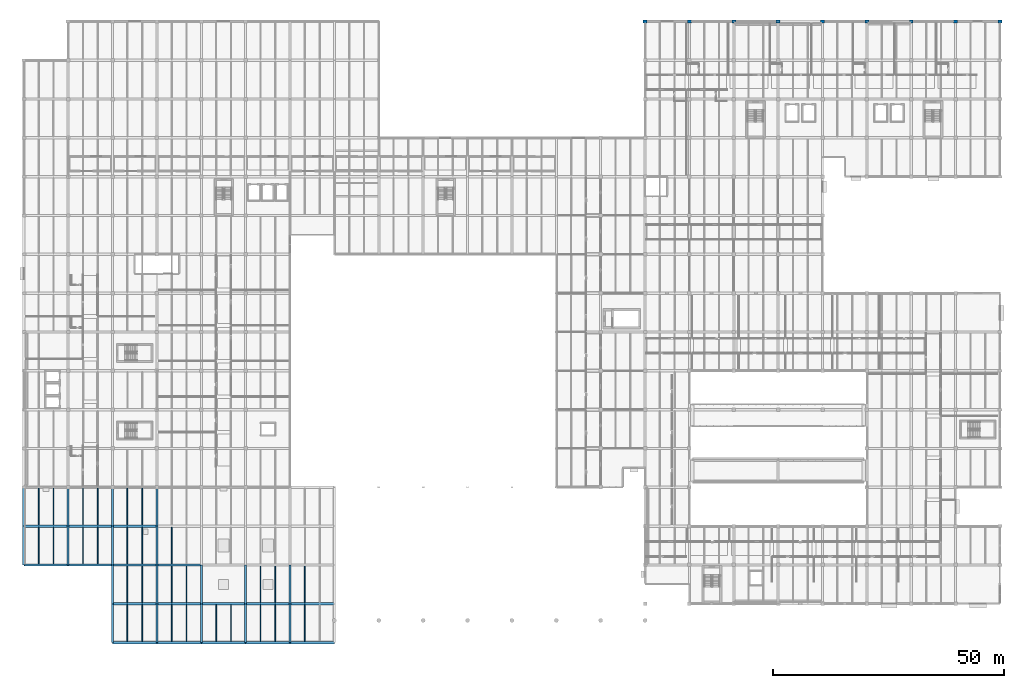
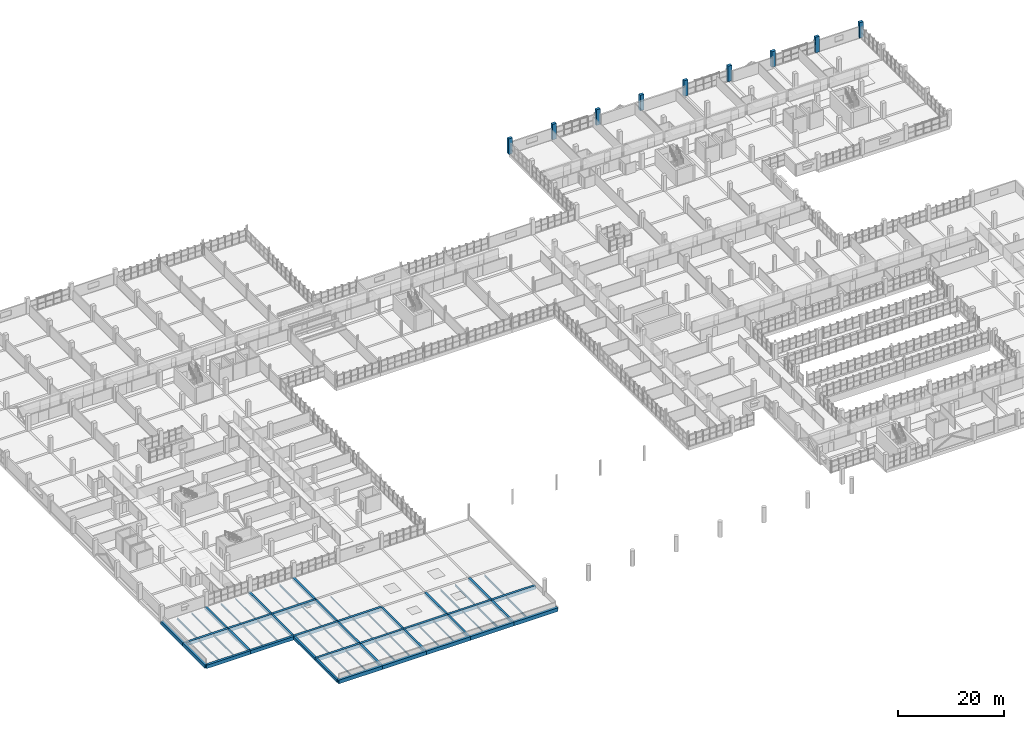
# One storey, part 20 of 147: 64 beams, 9 columns.
"""IFC4 building model written with IfcOpenShell, lengths in metres."""

from ifc_helpers import new_model, si_unit, direction, frame, origin, origin_2d, place, context, subcontext, project, spatial, rectangle, i_section, extrude, material, material_profile, profile_set, type_object, element, save


model = new_model("IFC4")

# Units and contexts
model_context = context("Model", 3, precision=1e-05, world=origin(), true_north=direction((0.0, 1.0)))
body_context = subcontext(model_context, "Body", "Model", "MODEL_VIEW")
ifc_project = project(units=[si_unit("LENGTHUNIT", "METRE"), si_unit("AREAUNIT", "SQUARE_METRE"), si_unit("VOLUMEUNIT", "CUBIC_METRE"), si_unit("PLANEANGLEUNIT", "RADIAN"), si_unit("MASSUNIT", "GRAM", prefix="KILO")], contexts=[model_context])

# Site, building, storey
site_placement = place(None, origin())
site = spatial("IfcSite", under=ifc_project, at=site_placement, CompositionType="ELEMENT")
building_placement = place(site_placement, origin())
building = spatial("IfcBuilding", under=site, at=building_placement, Name="Oolite Switchyard Hospital", CompositionType="ELEMENT")
storey_placement = place(building_placement, frame((0.0, 0.0, 9.89990234375)))
storey = spatial("IfcBuildingStorey", under=building, at=storey_placement, Name="L02", CompositionType="ELEMENT", Elevation=9.89990234375)

# Columns
ifc_material_1 = material(Name="Concrete C50/60", Category="concrete")
ifc_material_profile_1 = material_profile(ifc_material_1, rectangle(XDim=0.85009765625, YDim=0.60009765625, at=origin_2d()), Name="RC850X600")
ifc_profile_set_1 = profile_set([ifc_material_profile_1], Name="Concrete C50/60")
column_type = type_object("IfcColumnType", Name="COL-RCR850", PredefinedType="COLUMN", material=ifc_profile_set_1)
for number, where, z_axis, x_axis, name in (
    (1, (134.39990234375, 134.39990234375, 0.0), (0.0, 0.0, 1.0), (1.0, 0.0, 0.0), "L02 Column 809"),
    (2, (144.0, 134.39990234375, 0.0), (0.0, 0.0, 1.0), (1.0, 0.0, 0.0), "L02 Column 825"),
    (3, (153.60009765625, 134.39990234375, 0.0), (0.0, 0.0, 1.0), (1.0, 0.0, 0.0), "L02 Column 843"),
    (4, (163.199951171875, 134.39990234375, 0.0), (0.0, 0.0, 1.0), (1.0, 0.0, 0.0), "L02 Column 859"),
    (5, (172.800048828125, 134.39990234375, 0.0), (0.0, 0.0, 1.0), (1.0, 0.0, 0.0), "L02 Column 873"),
    (6, (182.39990234375, 134.39990234375, 0.0), (0.0, 0.0, 1.0), (1.0, 0.0, 0.0), "L02 Column 891"),
    (7, (192.0, 134.39990234375, 0.0), (0.0, 0.0, 1.0), (1.0, 0.0, 0.0), "L02 Column 905"),
    (8, (201.60009765625, 134.39990234375, 0.0), (0.0, 0.0, 1.0), (1.0, 0.0, 0.0), "L02 Column 919"),
    (9, (211.199951171875, 134.39990234375, 0.0), (0.0, 0.0, 1.0), (1.0, 0.0, 0.0), "L02 Column 931"),
):
    element("IfcColumn", number, at=place(storey_placement, frame(where, z_axis=z_axis, x_axis=x_axis)), inside=storey, type_object=column_type, Name=name, PredefinedType="COLUMN", context=body_context, shape_type="SweptSolid", body=[
        extrude(rectangle(XDim=0.85009765625, YDim=0.60009765625, at=origin_2d()), origin(), (0.0, 0.0, 1.0), 3.60009765625),
    ])

# Beams
ifc_material_2 = material(Name="Concrete C40/50", Category="concrete")
ifc_material_profile_2 = material_profile(ifc_material_2, rectangle(XDim=0.449951171875, YDim=0.64990234375, at=origin_2d()), Name="RCB450X650")
ifc_profile_set_2 = profile_set([ifc_material_profile_2], Name="Concrete C40/50")
beam_type_1 = type_object("IfcBeamType", Name="BM-RC450X650", PredefinedType="BEAM", material=ifc_profile_set_2)
beam_1_placement = place(storey_placement, frame((9.60009765625, 16.800048828125, -0.324951171875), z_axis=(0.0, 1.0, 0.0), x_axis=(-1.0, 0.0, 0.0)))
element("IfcBeam", 10, at=beam_1_placement, inside=storey, type_object=beam_type_1, Name="L02 Y-Girder 1263", PredefinedType="BEAM", context=body_context, shape_type="SweptSolid", body=[
    extrude(rectangle(XDim=0.449951171875, YDim=0.64990234375, at=origin_2d()), origin(), (0.0, 0.0, 1.0), 8.39990234375),
])
beam_2_placement = place(storey_placement, frame((9.60009765625, 25.199951171875, -0.324951171875), z_axis=(0.0, 1.0, 0.0), x_axis=(-1.0, 0.0, 0.0)))
element("IfcBeam", 11, at=beam_2_placement, inside=storey, type_object=beam_type_1, Name="L02 Y-Girder 1264", PredefinedType="BEAM", context=body_context, shape_type="SweptSolid", body=[
    extrude(rectangle(XDim=0.449951171875, YDim=0.64990234375, at=origin_2d()), origin(), (0.0, 0.0, 1.0), 8.400146484375),
])
beam_3_placement = place(storey_placement, frame((19.199951171875, 0.0, -0.324951171875), z_axis=(0.0, 1.0, 0.0), x_axis=(-1.0, 0.0, 0.0)))
element("IfcBeam", 12, at=beam_3_placement, inside=storey, type_object=beam_type_1, Name="L02 Y-Girder 1277", PredefinedType="BEAM", context=body_context, shape_type="SweptSolid", body=[
    extrude(rectangle(XDim=0.449951171875, YDim=0.64990234375, at=origin_2d()), origin(), (0.0, 0.0, 1.0), 8.39990234375),
])
beam_4_placement = place(storey_placement, frame((19.199951171875, 8.39990234375, -0.324951171875), z_axis=(0.0, 1.0, 0.0), x_axis=(-1.0, 0.0, 0.0)))
element("IfcBeam", 13, at=beam_4_placement, inside=storey, type_object=beam_type_1, Name="L02 Y-Girder 1278", PredefinedType="BEAM", context=body_context, shape_type="SweptSolid", body=[
    extrude(rectangle(XDim=0.449951171875, YDim=0.64990234375, at=origin_2d()), origin(), (0.0, 0.0, 1.0), 8.400146484375),
])
beam_5_placement = place(storey_placement, frame((19.199951171875, 16.800048828125, -0.324951171875), z_axis=(0.0, 1.0, 0.0), x_axis=(-1.0, 0.0, 0.0)))
element("IfcBeam", 14, at=beam_5_placement, inside=storey, type_object=beam_type_1, Name="L02 Y-Girder 1279", PredefinedType="BEAM", context=body_context, shape_type="SweptSolid", body=[
    extrude(rectangle(XDim=0.449951171875, YDim=0.64990234375, at=origin_2d()), origin(), (0.0, 0.0, 1.0), 8.39990234375),
])
beam_6_placement = place(storey_placement, frame((19.199951171875, 25.199951171875, -0.324951171875), z_axis=(0.0, 1.0, 0.0), x_axis=(-1.0, 0.0, 0.0)))
element("IfcBeam", 15, at=beam_6_placement, inside=storey, type_object=beam_type_1, Name="L02 Y-Girder 1280", PredefinedType="BEAM", context=body_context, shape_type="SweptSolid", body=[
    extrude(rectangle(XDim=0.449951171875, YDim=0.64990234375, at=origin_2d()), origin(), (0.0, 0.0, 1.0), 8.400146484375),
])
beam_7_placement = place(storey_placement, frame((28.800048828125, 0.0, -0.324951171875), z_axis=(0.0, 1.0, 0.0), x_axis=(-1.0, 0.0, 0.0)))
element("IfcBeam", 16, at=beam_7_placement, inside=storey, type_object=beam_type_1, Name="L02 Y-Girder 1293", PredefinedType="BEAM", context=body_context, shape_type="SweptSolid", body=[
    extrude(rectangle(XDim=0.449951171875, YDim=0.64990234375, at=origin_2d()), origin(), (0.0, 0.0, 1.0), 8.39990234375),
])
beam_8_placement = place(storey_placement, frame((28.800048828125, 8.39990234375, -0.324951171875), z_axis=(0.0, 1.0, 0.0), x_axis=(-1.0, 0.0, 0.0)))
element("IfcBeam", 17, at=beam_8_placement, inside=storey, type_object=beam_type_1, Name="L02 Y-Girder 1294", PredefinedType="BEAM", context=body_context, shape_type="SweptSolid", body=[
    extrude(rectangle(XDim=0.449951171875, YDim=0.64990234375, at=origin_2d()), origin(), (0.0, 0.0, 1.0), 8.400146484375),
])
beam_9_placement = place(storey_placement, frame((28.800048828125, 16.800048828125, -0.324951171875), z_axis=(0.0, 1.0, 0.0), x_axis=(-1.0, 0.0, 0.0)))
element("IfcBeam", 18, at=beam_9_placement, inside=storey, type_object=beam_type_1, Name="L02 Y-Girder 1295", PredefinedType="BEAM", context=body_context, shape_type="SweptSolid", body=[
    extrude(rectangle(XDim=0.449951171875, YDim=0.64990234375, at=origin_2d()), origin(), (0.0, 0.0, 1.0), 8.39990234375),
])
beam_10_placement = place(storey_placement, frame((28.800048828125, 25.199951171875, -0.324951171875), z_axis=(0.0, 1.0, 0.0), x_axis=(-1.0, 0.0, 0.0)))
element("IfcBeam", 19, at=beam_10_placement, inside=storey, type_object=beam_type_1, Name="L02 Y-Girder 1296", PredefinedType="BEAM", context=body_context, shape_type="SweptSolid", body=[
    extrude(rectangle(XDim=0.449951171875, YDim=0.64990234375, at=origin_2d()), origin(), (0.0, 0.0, 1.0), 8.400146484375),
])
beam_11_placement = place(storey_placement, frame((38.39990234375, 0.0, -0.324951171875), z_axis=(0.0, 1.0, 0.0), x_axis=(-1.0, 0.0, 0.0)))
element("IfcBeam", 20, at=beam_11_placement, inside=storey, type_object=beam_type_1, Name="L02 Y-Girder 1308", PredefinedType="BEAM", context=body_context, shape_type="SweptSolid", body=[
    extrude(rectangle(XDim=0.449951171875, YDim=0.64990234375, at=origin_2d()), origin(), (0.0, 0.0, 1.0), 8.39990234375),
])
beam_12_placement = place(storey_placement, frame((38.39990234375, 8.39990234375, -0.324951171875), z_axis=(0.0, 1.0, 0.0), x_axis=(-1.0, 0.0, 0.0)))
element("IfcBeam", 21, at=beam_12_placement, inside=storey, type_object=beam_type_1, Name="L02 Y-Girder 1309", PredefinedType="BEAM", context=body_context, shape_type="SweptSolid", body=[
    extrude(rectangle(XDim=0.449951171875, YDim=0.64990234375, at=origin_2d()), origin(), (0.0, 0.0, 1.0), 8.400146484375),
])
beam_13_placement = place(storey_placement, frame((48.0, 0.0, -0.324951171875), z_axis=(0.0, 1.0, 0.0), x_axis=(-1.0, 0.0, 0.0)))
element("IfcBeam", 22, at=beam_13_placement, inside=storey, type_object=beam_type_1, Name="L02 Y-Girder 1324", PredefinedType="BEAM", context=body_context, shape_type="SweptSolid", body=[
    extrude(rectangle(XDim=0.449951171875, YDim=0.64990234375, at=origin_2d()), origin(), (0.0, 0.0, 1.0), 8.39990234375),
])
beam_14_placement = place(storey_placement, frame((48.0, 8.39990234375, -0.324951171875), z_axis=(0.0, 1.0, 0.0), x_axis=(-1.0, 0.0, 0.0)))
element("IfcBeam", 23, at=beam_14_placement, inside=storey, type_object=beam_type_1, Name="L02 Y-Girder 1325", PredefinedType="BEAM", context=body_context, shape_type="SweptSolid", body=[
    extrude(rectangle(XDim=0.449951171875, YDim=0.64990234375, at=origin_2d()), origin(), (0.0, 0.0, 1.0), 8.400146484375),
])
beam_15_placement = place(storey_placement, frame((57.60009765625, 0.0, -0.324951171875), z_axis=(0.0, 1.0, 0.0), x_axis=(-1.0, 0.0, 0.0)))
element("IfcBeam", 24, at=beam_15_placement, inside=storey, type_object=beam_type_1, Name="L02 Y-Girder 1340", PredefinedType="BEAM", context=body_context, shape_type="SweptSolid", body=[
    extrude(rectangle(XDim=0.449951171875, YDim=0.64990234375, at=origin_2d()), origin(), (0.0, 0.0, 1.0), 8.39990234375),
])
beam_16_placement = place(storey_placement, frame((57.60009765625, 8.39990234375, -0.324951171875), z_axis=(0.0, 1.0, 0.0), x_axis=(-1.0, 0.0, 0.0)))
element("IfcBeam", 25, at=beam_16_placement, inside=storey, type_object=beam_type_1, Name="L02 Y-Girder 1341", PredefinedType="BEAM", context=body_context, shape_type="SweptSolid", body=[
    extrude(rectangle(XDim=0.449951171875, YDim=0.64990234375, at=origin_2d()), origin(), (0.0, 0.0, 1.0), 8.400146484375),
])
ifc_material_profile_3 = material_profile(ifc_material_2, rectangle(XDim=0.5, YDim=0.800048828125, at=origin_2d()), Name="RCB500X800")
ifc_profile_set_3 = profile_set([ifc_material_profile_3], Name="Concrete C40/50")
beam_type_2 = type_object("IfcBeamType", Name="BM-RC500X800", PredefinedType="BEAM", material=ifc_profile_set_3)
beam_17_placement = place(storey_placement, frame((19.199951171875, 8.39990234375, -0.39990234375), z_axis=(1.0, 0.0, 0.0), x_axis=(0.0, 1.0, 0.0)))
element("IfcBeam", 26, at=beam_17_placement, inside=storey, type_object=beam_type_2, Name="L02 X-Girder 993", PredefinedType="BEAM", context=body_context, shape_type="SweptSolid", body=[
    extrude(rectangle(XDim=0.5, YDim=0.800048828125, at=origin_2d()), origin(), (0.0, 0.0, 1.0), 9.60009765625),
])
beam_18_placement = place(storey_placement, frame((28.800048828125, 8.39990234375, -0.39990234375), z_axis=(1.0, 0.0, 0.0), x_axis=(0.0, 1.0, 0.0)))
element("IfcBeam", 27, at=beam_18_placement, inside=storey, type_object=beam_type_2, Name="L02 X-Girder 994", PredefinedType="BEAM", context=body_context, shape_type="SweptSolid", body=[
    extrude(rectangle(XDim=0.5, YDim=0.800048828125, at=origin_2d()), origin(), (0.0, 0.0, 1.0), 9.599853515625),
])
for number, where, z_axis, x_axis, name in (
    (28, (38.39990234375, 8.39990234375, -0.39990234375), (1.0, 0.0, 0.0), (0.0, 1.0, 0.0), "L02 X-Girder 995"),
    (29, (48.0, 8.39990234375, -0.39990234375), (1.0, 0.0, 0.0), (0.0, 1.0, 0.0), "L02 X-Girder 996"),
):
    element("IfcBeam", number, at=place(storey_placement, frame(where, z_axis=z_axis, x_axis=x_axis)), inside=storey, type_object=beam_type_2, Name=name, PredefinedType="BEAM", context=body_context, shape_type="SweptSolid", body=[
        extrude(rectangle(XDim=0.5, YDim=0.800048828125, at=origin_2d()), origin(), (0.0, 0.0, 1.0), 9.60009765625),
    ])
beam_19_placement = place(storey_placement, frame((57.60009765625, 8.39990234375, -0.39990234375), z_axis=(1.0, 0.0, 0.0), x_axis=(0.0, 1.0, 0.0)))
element("IfcBeam", 30, at=beam_19_placement, inside=storey, type_object=beam_type_2, Name="L02 X-Girder 997", PredefinedType="BEAM", context=body_context, shape_type="SweptSolid", body=[
    extrude(rectangle(XDim=0.5, YDim=0.800048828125, at=origin_2d()), origin(), (0.0, 0.0, 1.0), 9.599853515625),
])
beam_20_placement = place(storey_placement, frame((0.0, 16.800048828125, -0.39990234375), z_axis=(1.0, 0.0, 0.0), x_axis=(0.0, 1.0, 0.0)))
element("IfcBeam", 31, at=beam_20_placement, inside=storey, type_object=beam_type_2, Name="L02 X-Girder 1004", PredefinedType="BEAM", context=body_context, shape_type="SweptSolid", body=[
    extrude(rectangle(XDim=0.5, YDim=0.800048828125, at=origin_2d()), origin(), (0.0, 0.0, 1.0), 9.60009765625),
])
beam_21_placement = place(storey_placement, frame((9.60009765625, 16.800048828125, -0.39990234375), z_axis=(1.0, 0.0, 0.0), x_axis=(0.0, 1.0, 0.0)))
element("IfcBeam", 32, at=beam_21_placement, inside=storey, type_object=beam_type_2, Name="L02 X-Girder 1005", PredefinedType="BEAM", context=body_context, shape_type="SweptSolid", body=[
    extrude(rectangle(XDim=0.5, YDim=0.800048828125, at=origin_2d()), origin(), (0.0, 0.0, 1.0), 9.599853515625),
])
beam_22_placement = place(storey_placement, frame((19.199951171875, 16.800048828125, -0.39990234375), z_axis=(1.0, 0.0, 0.0), x_axis=(0.0, 1.0, 0.0)))
element("IfcBeam", 33, at=beam_22_placement, inside=storey, type_object=beam_type_2, Name="L02 X-Girder 1006", PredefinedType="BEAM", context=body_context, shape_type="SweptSolid", body=[
    extrude(rectangle(XDim=0.5, YDim=0.800048828125, at=origin_2d()), origin(), (0.0, 0.0, 1.0), 9.60009765625),
])
beam_23_placement = place(storey_placement, frame((28.800048828125, 16.800048828125, -0.39990234375), z_axis=(1.0, 0.0, 0.0), x_axis=(0.0, 1.0, 0.0)))
element("IfcBeam", 34, at=beam_23_placement, inside=storey, type_object=beam_type_2, Name="L02 X-Girder 1007", PredefinedType="BEAM", context=body_context, shape_type="SweptSolid", body=[
    extrude(rectangle(XDim=0.5, YDim=0.800048828125, at=origin_2d()), origin(), (0.0, 0.0, 1.0), 9.599853515625),
])
beam_24_placement = place(storey_placement, frame((0.0, 25.199951171875, -0.39990234375), z_axis=(1.0, 0.0, 0.0), x_axis=(0.0, 1.0, 0.0)))
element("IfcBeam", 35, at=beam_24_placement, inside=storey, type_object=beam_type_2, Name="L02 X-Girder 1019", PredefinedType="BEAM", context=body_context, shape_type="SweptSolid", body=[
    extrude(rectangle(XDim=0.5, YDim=0.800048828125, at=origin_2d()), origin(), (0.0, 0.0, 1.0), 9.60009765625),
])
beam_25_placement = place(storey_placement, frame((9.60009765625, 25.199951171875, -0.39990234375), z_axis=(1.0, 0.0, 0.0), x_axis=(0.0, 1.0, 0.0)))
element("IfcBeam", 36, at=beam_25_placement, inside=storey, type_object=beam_type_2, Name="L02 X-Girder 1020", PredefinedType="BEAM", context=body_context, shape_type="SweptSolid", body=[
    extrude(rectangle(XDim=0.5, YDim=0.800048828125, at=origin_2d()), origin(), (0.0, 0.0, 1.0), 9.599853515625),
])
beam_26_placement = place(storey_placement, frame((19.199951171875, 25.199951171875, -0.39990234375), z_axis=(1.0, 0.0, 0.0), x_axis=(0.0, 1.0, 0.0)))
element("IfcBeam", 37, at=beam_26_placement, inside=storey, type_object=beam_type_2, Name="L02 X-Girder 1021", PredefinedType="BEAM", context=body_context, shape_type="SweptSolid", body=[
    extrude(rectangle(XDim=0.5, YDim=0.800048828125, at=origin_2d()), origin(), (0.0, 0.0, 1.0), 9.60009765625),
])
beam_27_placement = place(storey_placement, frame((0.0, 16.800048828125, -0.39990234375), z_axis=(0.0, 1.0, 0.0), x_axis=(-1.0, 0.0, 0.0)))
element("IfcBeam", 38, at=beam_27_placement, inside=storey, type_object=beam_type_2, Name="L02 Y-Girder 1250", PredefinedType="BEAM", context=body_context, shape_type="SweptSolid", body=[
    extrude(rectangle(XDim=0.5, YDim=0.800048828125, at=origin_2d()), origin(), (0.0, 0.0, 1.0), 8.39990234375),
])
beam_28_placement = place(storey_placement, frame((0.0, 25.199951171875, -0.39990234375), z_axis=(0.0, 1.0, 0.0), x_axis=(-1.0, 0.0, 0.0)))
element("IfcBeam", 39, at=beam_28_placement, inside=storey, type_object=beam_type_2, Name="L02 Y-Girder 1251", PredefinedType="BEAM", context=body_context, shape_type="SweptSolid", body=[
    extrude(rectangle(XDim=0.5, YDim=0.800048828125, at=origin_2d()), origin(), (0.0, 0.0, 1.0), 8.400146484375),
])
ifc_material_profile_4 = material_profile(ifc_material_2, rectangle(XDim=0.550048828125, YDim=0.85009765625, at=origin_2d()), Name="RCB550X850")
ifc_profile_set_4 = profile_set([ifc_material_profile_4], Name="Concrete C40/50")
beam_type_3 = type_object("IfcBeamType", Name="BM-RC550X850", PredefinedType="BEAM", material=ifc_profile_set_4)
beam_29_placement = place(storey_placement, frame((19.199951171875, 0.0, -0.4248046875), z_axis=(1.0, 0.0, 0.0), x_axis=(0.0, 1.0, 0.0)))
element("IfcBeam", 40, at=beam_29_placement, inside=storey, type_object=beam_type_3, Name="L02 X-Girder 988", PredefinedType="BEAM", context=body_context, shape_type="SweptSolid", body=[
    extrude(rectangle(XDim=0.550048828125, YDim=0.85009765625, at=origin_2d()), origin(), (0.0, 0.0, 1.0), 9.60009765625),
])
beam_30_placement = place(storey_placement, frame((28.800048828125, 0.0, -0.4248046875), z_axis=(1.0, 0.0, 0.0), x_axis=(0.0, 1.0, 0.0)))
element("IfcBeam", 41, at=beam_30_placement, inside=storey, type_object=beam_type_3, Name="L02 X-Girder 989", PredefinedType="BEAM", context=body_context, shape_type="SweptSolid", body=[
    extrude(rectangle(XDim=0.550048828125, YDim=0.85009765625, at=origin_2d()), origin(), (0.0, 0.0, 1.0), 9.599853515625),
])
for number, where, z_axis, x_axis, name in (
    (42, (38.39990234375, 0.0, -0.4248046875), (1.0, 0.0, 0.0), (0.0, 1.0, 0.0), "L02 X-Girder 990"),
    (43, (48.0, 0.0, -0.4248046875), (1.0, 0.0, 0.0), (0.0, 1.0, 0.0), "L02 X-Girder 991"),
):
    element("IfcBeam", number, at=place(storey_placement, frame(where, z_axis=z_axis, x_axis=x_axis)), inside=storey, type_object=beam_type_3, Name=name, PredefinedType="BEAM", context=body_context, shape_type="SweptSolid", body=[
        extrude(rectangle(XDim=0.550048828125, YDim=0.85009765625, at=origin_2d()), origin(), (0.0, 0.0, 1.0), 9.60009765625),
    ])
beam_31_placement = place(storey_placement, frame((57.60009765625, 0.0, -0.4248046875), z_axis=(1.0, 0.0, 0.0), x_axis=(0.0, 1.0, 0.0)))
element("IfcBeam", 44, at=beam_31_placement, inside=storey, type_object=beam_type_3, Name="L02 X-Girder 992", PredefinedType="BEAM", context=body_context, shape_type="SweptSolid", body=[
    extrude(rectangle(XDim=0.550048828125, YDim=0.85009765625, at=origin_2d()), origin(), (0.0, 0.0, 1.0), 9.599853515625),
])
ifc_material_3 = material(Name="Steel ASTM A992 Grade 50", Category="steel")
ifc_material_profile_5 = material_profile(ifc_material_3, i_section(OverallWidth=0.1650390625, OverallDepth=0.31005859375, WebThickness=0.006103515625, FlangeThickness=0.010009765625, at=origin_2d()), Name="W12X26")
ifc_profile_set_5 = profile_set([ifc_material_profile_5], Name="Steel ASTM A992 Grade 50")
beam_type_4 = type_object("IfcBeamType", Name="BM-W12X26", PredefinedType="JOIST", material=ifc_profile_set_5)
beam_32_placement = place(storey_placement, frame((16.0, 25.449951171875, -0.375), z_axis=(0.0, 1.0, 0.0), x_axis=(-1.0, 0.0, 0.0)))
element("IfcBeam", 45, at=beam_32_placement, inside=storey, type_object=beam_type_4, Name="L02 Secondary Steel Joist 1539", PredefinedType="JOIST", context=body_context, shape_type="SweptSolid", body=[
    extrude(i_section(OverallWidth=0.1650390625, OverallDepth=0.31005859375, WebThickness=0.006103515625, FlangeThickness=0.010009765625, at=origin_2d()), origin(), (0.0, 0.0, 1.0), 7.900146484375),
])
beam_33_placement = place(storey_placement, frame((25.60009765625, 17.050048828125, -0.375), z_axis=(0.0, 1.0, 0.0), x_axis=(-1.0, 0.0, 0.0)))
element("IfcBeam", 46, at=beam_33_placement, inside=storey, type_object=beam_type_4, Name="L02 Secondary Steel Joist 1569", PredefinedType="JOIST", context=body_context, shape_type="SweptSolid", body=[
    extrude(i_section(OverallWidth=0.1650390625, OverallDepth=0.31005859375, WebThickness=0.006103515625, FlangeThickness=0.010009765625, at=origin_2d()), origin(), (0.0, 0.0, 1.0), 7.89990234375),
])
for number, where, z_axis, x_axis, name in (
    (47, (22.39990234375, 25.449951171875, -0.375), (0.0, 1.0, 0.0), (-1.0, 0.0, 0.0), "L02 Secondary Steel Joist 1570"),
    (48, (35.199951171875, 8.64990234375, -0.375), (0.0, 1.0, 0.0), (-1.0, 0.0, 0.0), "L02 Secondary Steel Joist 1595"),
):
    element("IfcBeam", number, at=place(storey_placement, frame(where, z_axis=z_axis, x_axis=x_axis)), inside=storey, type_object=beam_type_4, Name=name, PredefinedType="JOIST", context=body_context, shape_type="SweptSolid", body=[
        extrude(i_section(OverallWidth=0.1650390625, OverallDepth=0.31005859375, WebThickness=0.006103515625, FlangeThickness=0.010009765625, at=origin_2d()), origin(), (0.0, 0.0, 1.0), 7.900146484375),
    ])
beam_34_placement = place(storey_placement, frame((32.0, 17.050048828125, -0.375), z_axis=(0.0, 1.0, 0.0), x_axis=(-1.0, 0.0, 0.0)))
element("IfcBeam", 49, at=beam_34_placement, inside=storey, type_object=beam_type_4, Name="L02 Secondary Steel Joist 1596", PredefinedType="JOIST", context=body_context, shape_type="SweptSolid", body=[
    extrude(i_section(OverallWidth=0.1650390625, OverallDepth=0.31005859375, WebThickness=0.006103515625, FlangeThickness=0.010009765625, at=origin_2d()), origin(), (0.0, 0.0, 1.0), 7.89990234375),
])
for number, where, z_axis, x_axis, name in (
    (50, (44.800048828125, 0.27490234375, -0.375), (0.0, 1.0, 0.0), (-1.0, 0.0, 0.0), "L02 Secondary Steel Joist 1625"),
    (51, (51.199951171875, 0.27490234375, -0.375), (0.0, 1.0, 0.0), (-1.0, 0.0, 0.0), "L02 Secondary Steel Joist 1652"),
):
    element("IfcBeam", number, at=place(storey_placement, frame(where, z_axis=z_axis, x_axis=x_axis)), inside=storey, type_object=beam_type_4, Name=name, PredefinedType="JOIST", context=body_context, shape_type="SweptSolid", body=[
        extrude(i_section(OverallWidth=0.1650390625, OverallDepth=0.31005859375, WebThickness=0.006103515625, FlangeThickness=0.010009765625, at=origin_2d()), origin(), (0.0, 0.0, 1.0), 7.875),
    ])
ifc_material_profile_6 = material_profile(ifc_material_3, i_section(OverallWidth=0.1708984375, OverallDepth=0.35107421875, WebThickness=0.007080078125, FlangeThickness=0.010009765625, at=origin_2d()), Name="W14X30")
ifc_profile_set_6 = profile_set([ifc_material_profile_6], Name="Steel ASTM A992 Grade 50")
beam_type_5 = type_object("IfcBeamType", Name="BM-W14X30", PredefinedType="JOIST", material=ifc_profile_set_6)
beam_35_placement = place(storey_placement, frame((6.39990234375, 25.449951171875, -0.39599609375), z_axis=(0.0, 1.0, 0.0), x_axis=(-1.0, 0.0, 0.0)))
element("IfcBeam", 52, at=beam_35_placement, inside=storey, type_object=beam_type_5, Name="L02 Secondary Steel Joist 1515", PredefinedType="JOIST", context=body_context, shape_type="SweptSolid", body=[
    extrude(i_section(OverallWidth=0.1708984375, OverallDepth=0.35107421875, WebThickness=0.007080078125, FlangeThickness=0.010009765625, at=origin_2d()), origin(), (0.0, 0.0, 1.0), 7.900146484375),
])
beam_36_placement = place(storey_placement, frame((16.0, 17.050048828125, -0.39599609375), z_axis=(0.0, 1.0, 0.0), x_axis=(-1.0, 0.0, 0.0)))
element("IfcBeam", 53, at=beam_36_placement, inside=storey, type_object=beam_type_5, Name="L02 Secondary Steel Joist 1537", PredefinedType="JOIST", context=body_context, shape_type="SweptSolid", body=[
    extrude(i_section(OverallWidth=0.1708984375, OverallDepth=0.35107421875, WebThickness=0.007080078125, FlangeThickness=0.010009765625, at=origin_2d()), origin(), (0.0, 0.0, 1.0), 7.89990234375),
])
for number, where, z_axis, x_axis, name in (
    (54, (12.800048828125, 25.449951171875, -0.39599609375), (0.0, 1.0, 0.0), (-1.0, 0.0, 0.0), "L02 Secondary Steel Joist 1538"),
    (55, (25.60009765625, 8.64990234375, -0.39599609375), (0.0, 1.0, 0.0), (-1.0, 0.0, 0.0), "L02 Secondary Steel Joist 1567"),
):
    element("IfcBeam", number, at=place(storey_placement, frame(where, z_axis=z_axis, x_axis=x_axis)), inside=storey, type_object=beam_type_5, Name=name, PredefinedType="JOIST", context=body_context, shape_type="SweptSolid", body=[
        extrude(i_section(OverallWidth=0.1708984375, OverallDepth=0.35107421875, WebThickness=0.007080078125, FlangeThickness=0.010009765625, at=origin_2d()), origin(), (0.0, 0.0, 1.0), 7.900146484375),
    ])
beam_37_placement = place(storey_placement, frame((22.39990234375, 17.050048828125, -0.39599609375), z_axis=(0.0, 1.0, 0.0), x_axis=(-1.0, 0.0, 0.0)))
element("IfcBeam", 56, at=beam_37_placement, inside=storey, type_object=beam_type_5, Name="L02 Secondary Steel Joist 1568", PredefinedType="JOIST", context=body_context, shape_type="SweptSolid", body=[
    extrude(i_section(OverallWidth=0.1708984375, OverallDepth=0.35107421875, WebThickness=0.007080078125, FlangeThickness=0.010009765625, at=origin_2d()), origin(), (0.0, 0.0, 1.0), 7.89990234375),
])
beam_38_placement = place(storey_placement, frame((35.199951171875, 0.27490234375, -0.39599609375), z_axis=(0.0, 1.0, 0.0), x_axis=(-1.0, 0.0, 0.0)))
element("IfcBeam", 57, at=beam_38_placement, inside=storey, type_object=beam_type_5, Name="L02 Secondary Steel Joist 1593", PredefinedType="JOIST", context=body_context, shape_type="SweptSolid", body=[
    extrude(i_section(OverallWidth=0.1708984375, OverallDepth=0.35107421875, WebThickness=0.007080078125, FlangeThickness=0.010009765625, at=origin_2d()), origin(), (0.0, 0.0, 1.0), 7.875),
])
beam_39_placement = place(storey_placement, frame((32.0, 8.64990234375, -0.39599609375), z_axis=(0.0, 1.0, 0.0), x_axis=(-1.0, 0.0, 0.0)))
element("IfcBeam", 58, at=beam_39_placement, inside=storey, type_object=beam_type_5, Name="L02 Secondary Steel Joist 1594", PredefinedType="JOIST", context=body_context, shape_type="SweptSolid", body=[
    extrude(i_section(OverallWidth=0.1708984375, OverallDepth=0.35107421875, WebThickness=0.007080078125, FlangeThickness=0.010009765625, at=origin_2d()), origin(), (0.0, 0.0, 1.0), 7.900146484375),
])
beam_40_placement = place(storey_placement, frame((41.60009765625, 0.27490234375, -0.39599609375), z_axis=(0.0, 1.0, 0.0), x_axis=(-1.0, 0.0, 0.0)))
element("IfcBeam", 59, at=beam_40_placement, inside=storey, type_object=beam_type_5, Name="L02 Secondary Steel Joist 1624", PredefinedType="JOIST", context=body_context, shape_type="SweptSolid", body=[
    extrude(i_section(OverallWidth=0.1708984375, OverallDepth=0.35107421875, WebThickness=0.007080078125, FlangeThickness=0.010009765625, at=origin_2d()), origin(), (0.0, 0.0, 1.0), 7.875),
])
ifc_material_profile_7 = material_profile(ifc_material_3, i_section(OverallWidth=0.177978515625, OverallDepth=0.403076171875, WebThickness=0.008056640625, FlangeThickness=0.010986328125, at=origin_2d()), Name="W16X36")
ifc_profile_set_7 = profile_set([ifc_material_profile_7], Name="Steel ASTM A992 Grade 50")
beam_type_6 = type_object("IfcBeamType", Name="BM-W16X36", PredefinedType="JOIST", material=ifc_profile_set_7)
beam_41_placement = place(storey_placement, frame((6.39990234375, 17.050048828125, -0.421875), z_axis=(0.0, 1.0, 0.0), x_axis=(-1.0, 0.0, 0.0)))
element("IfcBeam", 60, at=beam_41_placement, inside=storey, type_object=beam_type_6, Name="L02 Secondary Steel Joist 1513", PredefinedType="JOIST", context=body_context, shape_type="SweptSolid", body=[
    extrude(i_section(OverallWidth=0.177978515625, OverallDepth=0.403076171875, WebThickness=0.008056640625, FlangeThickness=0.010986328125, at=origin_2d()), origin(), (0.0, 0.0, 1.0), 7.89990234375),
])
beam_42_placement = place(storey_placement, frame((3.199951171875, 25.449951171875, -0.421875), z_axis=(0.0, 1.0, 0.0), x_axis=(-1.0, 0.0, 0.0)))
element("IfcBeam", 61, at=beam_42_placement, inside=storey, type_object=beam_type_6, Name="L02 Secondary Steel Joist 1514", PredefinedType="JOIST", context=body_context, shape_type="SweptSolid", body=[
    extrude(i_section(OverallWidth=0.177978515625, OverallDepth=0.403076171875, WebThickness=0.008056640625, FlangeThickness=0.010986328125, at=origin_2d()), origin(), (0.0, 0.0, 1.0), 7.900146484375),
])
beam_43_placement = place(storey_placement, frame((12.800048828125, 17.050048828125, -0.421875), z_axis=(0.0, 1.0, 0.0), x_axis=(-1.0, 0.0, 0.0)))
element("IfcBeam", 62, at=beam_43_placement, inside=storey, type_object=beam_type_6, Name="L02 Secondary Steel Joist 1536", PredefinedType="JOIST", context=body_context, shape_type="SweptSolid", body=[
    extrude(i_section(OverallWidth=0.177978515625, OverallDepth=0.403076171875, WebThickness=0.008056640625, FlangeThickness=0.010986328125, at=origin_2d()), origin(), (0.0, 0.0, 1.0), 7.89990234375),
])
beam_44_placement = place(storey_placement, frame((25.60009765625, 0.27490234375, -0.421875), z_axis=(0.0, 1.0, 0.0), x_axis=(-1.0, 0.0, 0.0)))
element("IfcBeam", 63, at=beam_44_placement, inside=storey, type_object=beam_type_6, Name="L02 Secondary Steel Joist 1565", PredefinedType="JOIST", context=body_context, shape_type="SweptSolid", body=[
    extrude(i_section(OverallWidth=0.177978515625, OverallDepth=0.403076171875, WebThickness=0.008056640625, FlangeThickness=0.010986328125, at=origin_2d()), origin(), (0.0, 0.0, 1.0), 7.875),
])
beam_45_placement = place(storey_placement, frame((22.39990234375, 8.64990234375, -0.421875), z_axis=(0.0, 1.0, 0.0), x_axis=(-1.0, 0.0, 0.0)))
element("IfcBeam", 64, at=beam_45_placement, inside=storey, type_object=beam_type_6, Name="L02 Secondary Steel Joist 1566", PredefinedType="JOIST", context=body_context, shape_type="SweptSolid", body=[
    extrude(i_section(OverallWidth=0.177978515625, OverallDepth=0.403076171875, WebThickness=0.008056640625, FlangeThickness=0.010986328125, at=origin_2d()), origin(), (0.0, 0.0, 1.0), 7.900146484375),
])
beam_46_placement = place(storey_placement, frame((32.0, 0.27490234375, -0.421875), z_axis=(0.0, 1.0, 0.0), x_axis=(-1.0, 0.0, 0.0)))
element("IfcBeam", 65, at=beam_46_placement, inside=storey, type_object=beam_type_6, Name="L02 Secondary Steel Joist 1592", PredefinedType="JOIST", context=body_context, shape_type="SweptSolid", body=[
    extrude(i_section(OverallWidth=0.177978515625, OverallDepth=0.403076171875, WebThickness=0.008056640625, FlangeThickness=0.010986328125, at=origin_2d()), origin(), (0.0, 0.0, 1.0), 7.875),
])
ifc_material_profile_8 = material_profile(ifc_material_3, i_section(OverallWidth=0.179931640625, OverallDepth=0.4130859375, WebThickness=0.010009765625, FlangeThickness=0.01611328125, at=origin_2d()), Name="W16X50")
ifc_profile_set_8 = profile_set([ifc_material_profile_8], Name="Steel ASTM A992 Grade 50")
beam_type_7 = type_object("IfcBeamType", Name="BM-W16X50", PredefinedType="JOIST", material=ifc_profile_set_8)
beam_47_placement = place(storey_placement, frame((3.199951171875, 17.050048828125, -0.42578125), z_axis=(0.0, 1.0, 0.0), x_axis=(-1.0, 0.0, 0.0)))
element("IfcBeam", 66, at=beam_47_placement, inside=storey, type_object=beam_type_7, Name="L02 Secondary Steel Joist 1512", PredefinedType="JOIST", context=body_context, shape_type="SweptSolid", body=[
    extrude(i_section(OverallWidth=0.179931640625, OverallDepth=0.4130859375, WebThickness=0.010009765625, FlangeThickness=0.01611328125, at=origin_2d()), origin(), (0.0, 0.0, 1.0), 7.89990234375),
])
beam_48_placement = place(storey_placement, frame((22.39990234375, 0.27490234375, -0.42578125), z_axis=(0.0, 1.0, 0.0), x_axis=(-1.0, 0.0, 0.0)))
element("IfcBeam", 67, at=beam_48_placement, inside=storey, type_object=beam_type_7, Name="L02 Secondary Steel Joist 1564", PredefinedType="JOIST", context=body_context, shape_type="SweptSolid", body=[
    extrude(i_section(OverallWidth=0.179931640625, OverallDepth=0.4130859375, WebThickness=0.010009765625, FlangeThickness=0.01611328125, at=origin_2d()), origin(), (0.0, 0.0, 1.0), 7.875),
])
ifc_material_profile_9 = material_profile(ifc_material_3, i_section(OverallWidth=0.19091796875, OverallDepth=0.4599609375, WebThickness=0.010009765625, FlangeThickness=0.01611328125, at=origin_2d()), Name="W18X55")
ifc_profile_set_9 = profile_set([ifc_material_profile_9], Name="Steel ASTM A992 Grade 50")
beam_type_8 = type_object("IfcBeamType", Name="BM-W18X55", PredefinedType="JOIST", material=ifc_profile_set_9)
for number, where, z_axis, x_axis, name in (
    (68, (54.39990234375, 8.64990234375, -0.449951171875), (0.0, 1.0, 0.0), (-1.0, 0.0, 0.0), "L02 Secondary Steel Joist 1655"),
    (69, (60.800048828125, 8.64990234375, -0.449951171875), (0.0, 1.0, 0.0), (-1.0, 0.0, 0.0), "L02 Secondary Steel Joist 1682"),
):
    element("IfcBeam", number, at=place(storey_placement, frame(where, z_axis=z_axis, x_axis=x_axis)), inside=storey, type_object=beam_type_8, Name=name, PredefinedType="JOIST", context=body_context, shape_type="SweptSolid", body=[
        extrude(i_section(OverallWidth=0.19091796875, OverallDepth=0.4599609375, WebThickness=0.010009765625, FlangeThickness=0.01611328125, at=origin_2d()), origin(), (0.0, 0.0, 1.0), 7.900146484375),
    ])
ifc_material_profile_10 = material_profile(ifc_material_3, i_section(OverallWidth=0.166015625, OverallDepth=0.529052734375, WebThickness=0.010009765625, FlangeThickness=0.013916015625, at=origin_2d()), Name="W21X50")
ifc_profile_set_10 = profile_set([ifc_material_profile_10], Name="Steel ASTM A992 Grade 50")
beam_type_9 = type_object("IfcBeamType", Name="BM-W21X50", PredefinedType="JOIST", material=ifc_profile_set_10)
beam_49_placement = place(storey_placement, frame((25.60009765625, 25.449951171875, -0.48388671875), z_axis=(0.0, 1.0, 0.0), x_axis=(-1.0, 0.0, 0.0)))
element("IfcBeam", 70, at=beam_49_placement, inside=storey, type_object=beam_type_9, Name="L02 Secondary Steel Joist 1571", PredefinedType="JOIST", context=body_context, shape_type="SweptSolid", body=[
    extrude(i_section(OverallWidth=0.166015625, OverallDepth=0.529052734375, WebThickness=0.010009765625, FlangeThickness=0.013916015625, at=origin_2d()), origin(), (0.0, 0.0, 1.0), 7.900146484375),
])
beam_50_placement = place(storey_placement, frame((54.39990234375, 0.27490234375, -0.48388671875), z_axis=(0.0, 1.0, 0.0), x_axis=(-1.0, 0.0, 0.0)))
element("IfcBeam", 71, at=beam_50_placement, inside=storey, type_object=beam_type_9, Name="L02 Secondary Steel Joist 1653", PredefinedType="JOIST", context=body_context, shape_type="SweptSolid", body=[
    extrude(i_section(OverallWidth=0.166015625, OverallDepth=0.529052734375, WebThickness=0.010009765625, FlangeThickness=0.013916015625, at=origin_2d()), origin(), (0.0, 0.0, 1.0), 7.875),
])
beam_51_placement = place(storey_placement, frame((51.199951171875, 8.64990234375, -0.48388671875), z_axis=(0.0, 1.0, 0.0), x_axis=(-1.0, 0.0, 0.0)))
element("IfcBeam", 72, at=beam_51_placement, inside=storey, type_object=beam_type_9, Name="L02 Secondary Steel Joist 1654", PredefinedType="JOIST", context=body_context, shape_type="SweptSolid", body=[
    extrude(i_section(OverallWidth=0.166015625, OverallDepth=0.529052734375, WebThickness=0.010009765625, FlangeThickness=0.013916015625, at=origin_2d()), origin(), (0.0, 0.0, 1.0), 7.900146484375),
])
beam_52_placement = place(storey_placement, frame((60.800048828125, 0.27490234375, -0.48388671875), z_axis=(0.0, 1.0, 0.0), x_axis=(-1.0, 0.0, 0.0)))
element("IfcBeam", 73, at=beam_52_placement, inside=storey, type_object=beam_type_9, Name="L02 Secondary Steel Joist 1680", PredefinedType="JOIST", context=body_context, shape_type="SweptSolid", body=[
    extrude(i_section(OverallWidth=0.166015625, OverallDepth=0.529052734375, WebThickness=0.010009765625, FlangeThickness=0.013916015625, at=origin_2d()), origin(), (0.0, 0.0, 1.0), 7.875),
])

save(model, "model.ifc")
